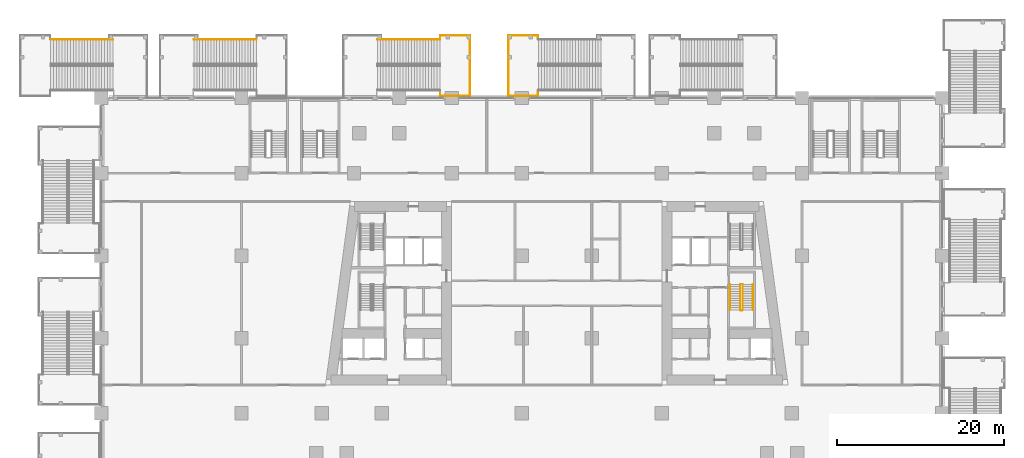
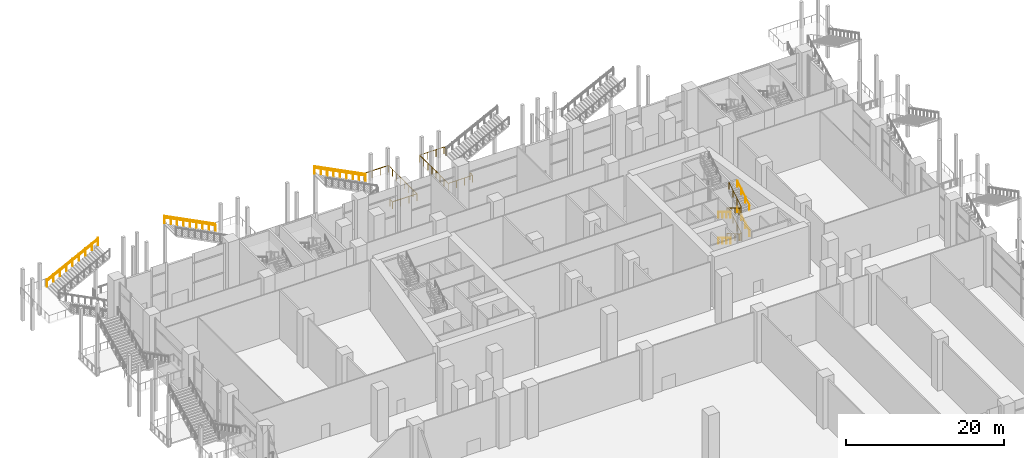
# One storey, part 46 of 52: 14 railings.
"""IFC4 building model written with IfcOpenShell, lengths in metres."""

from ifc_helpers import new_model, si_unit, direction, frame, origin, origin_2d, place, context, subcontext, project, spatial, circle, extrude, material, type_object, element, save


model = new_model("IFC4")

# Units and contexts
model_context = context("Model", 3, precision=1e-05, world=origin(), true_north=direction((0.0, 1.0)))
body_context = subcontext(model_context, "Body", "Model", "MODEL_VIEW")
ifc_project = project(units=[si_unit("LENGTHUNIT", "METRE"), si_unit("AREAUNIT", "SQUARE_METRE"), si_unit("VOLUMEUNIT", "CUBIC_METRE"), si_unit("PLANEANGLEUNIT", "RADIAN"), si_unit("MASSUNIT", "GRAM", prefix="KILO")], contexts=[model_context])

# Site, building, storey
site_placement = place(None, origin())
site = spatial("IfcSite", under=ifc_project, at=site_placement, CompositionType="ELEMENT")
building_placement = place(site_placement, origin())
building = spatial("IfcBuilding", under=site, at=building_placement, Name="Candeia Pilgrim Tower and Theatre", CompositionType="ELEMENT")
storey_placement = place(building_placement, frame((0.0, 0.0, 9.0)))
storey = spatial("IfcBuildingStorey", under=building, at=storey_placement, Name="L01", CompositionType="ELEMENT", Elevation=9.0)

# Railings
ifc_material_1 = material(Name="Stainless steel balustrade", Category="steel")
railing_type_1 = type_object("IfcRailingType", Name="RL-GUARD-1100", PredefinedType="GUARDRAIL", material=ifc_material_1)
railing_1_placement = place(storey_placement, frame((135.39794921875, 122.47509765625, 0.166748046875)))
element("IfcRailing", 1, at=railing_1_placement, inside=storey, type_object=railing_type_1, Name="L01 ST3 stair guard 1", PredefinedType="GUARDRAIL", context=body_context, shape_type="SweptSolid", body=[
    extrude(circle(Radius=0.02392578125, at=origin_2d()), frame((0.0, 0.0, 1.076171875), z_axis=(0.0, -0.859308565015, 0.511457515432), x_axis=(1.0, 0.0, 0.0)), (0.0, 0.0, 1.0), 3.58447265625),
    extrude(circle(Radius=0.02392578125, at=origin_2d()), frame((0.0, -3.080078125, 2.9091796875), z_axis=(0.707106781187, -0.707106781187, 0.0), x_axis=(0.707106781187, 0.707106781187, 0.0)), (0.0, 0.0, 1.0), 0.07080078125),
    extrude(circle(Radius=0.02392578125, at=origin_2d()), frame((0.050048828125, -3.130126953125, 2.9091796875), z_axis=(1.0, 0.0, 0.0), x_axis=(0.0, 1.0, 0.0)), (0.0, 0.0, 1.0), 0.199951171875),
    extrude(circle(Radius=0.02392578125, at=origin_2d()), frame((0.25, -3.130126953125, 2.9091796875), z_axis=(0.27628659633, 0.27628659633, 0.920506074601), x_axis=(-0.707106781187, 0.707106781187, 0.0)), (0.0, 0.0, 1.0), 0.18115234375),
    extrude(circle(Radius=0.02392578125, at=origin_2d()), frame((0.300048828125, -3.080078125, 3.076171875), z_axis=(0.0, 0.859308565015, 0.511457515432), x_axis=(-1.0, 0.0, 0.0)), (0.0, 0.0, 1.0), 3.58447265625),
    extrude(circle(Radius=0.02099609375, at=origin_2d()), origin(), (0.0, 0.0, 1.0), 1.052001953125),
    extrude(circle(Radius=0.02099609375, at=origin_2d()), frame((0.0, -1.026611328125, 0.611083984375)), (0.0, 0.0, 1.0), 1.052001953125),
    extrude(circle(Radius=0.02099609375, at=origin_2d()), frame((0.0, -2.053466796875, 1.22216796875)), (0.0, 0.0, 1.0), 1.052001953125),
    extrude(circle(Radius=0.02099609375, at=origin_2d()), frame((0.0, -3.080078125, 1.833251953125)), (0.0, 0.0, 1.0), 1.052001953125),
    extrude(circle(Radius=0.02099609375, at=origin_2d()), frame((0.050048828125, -3.130126953125, 1.833251953125)), (0.0, 0.0, 1.0), 1.052001953125),
    extrude(circle(Radius=0.02099609375, at=origin_2d()), frame((0.25, -3.130126953125, 1.833251953125)), (0.0, 0.0, 1.0), 1.052001953125),
    extrude(circle(Radius=0.02099609375, at=origin_2d()), frame((0.300048828125, -3.080078125, 2.0)), (0.0, 0.0, 1.0), 1.052001953125),
    extrude(circle(Radius=0.02099609375, at=origin_2d()), frame((0.300048828125, -2.053466796875, 2.611083984375)), (0.0, 0.0, 1.0), 1.052001953125),
    extrude(circle(Radius=0.02099609375, at=origin_2d()), frame((0.300048828125, -1.026611328125, 3.22216796875)), (0.0, 0.0, 1.0), 1.052001953125),
    extrude(circle(Radius=0.02099609375, at=origin_2d()), frame((0.300048828125, 0.0, 3.833251953125)), (0.0, 0.0, 1.0), 1.052001953125),
])
railing_2_placement = place(storey_placement, frame((135.39794921875, 122.47509765625, 4.166748046875)))
element("IfcRailing", 2, at=railing_2_placement, inside=storey, type_object=railing_type_1, Name="L01 ST3 stair guard 3", PredefinedType="GUARDRAIL", context=body_context, shape_type="SweptSolid", body=[
    extrude(circle(Radius=0.02392578125, at=origin_2d()), frame((0.0, 0.0, 1.076171875), z_axis=(0.0, -0.859308565015, 0.511457515432), x_axis=(1.0, 0.0, 0.0)), (0.0, 0.0, 1.0), 3.58447265625),
    extrude(circle(Radius=0.02392578125, at=origin_2d()), frame((0.0, -3.080078125, 2.9091796875), z_axis=(0.707106781187, -0.707106781187, 0.0), x_axis=(0.707106781187, 0.707106781187, 0.0)), (0.0, 0.0, 1.0), 0.07080078125),
    extrude(circle(Radius=0.02392578125, at=origin_2d()), frame((0.050048828125, -3.130126953125, 2.9091796875), z_axis=(1.0, 0.0, 0.0), x_axis=(0.0, 1.0, 0.0)), (0.0, 0.0, 1.0), 0.199951171875),
    extrude(circle(Radius=0.02392578125, at=origin_2d()), frame((0.25, -3.130126953125, 2.9091796875), z_axis=(0.27628659633, 0.27628659633, 0.920506074601), x_axis=(-0.707106781187, 0.707106781187, 0.0)), (0.0, 0.0, 1.0), 0.18115234375),
    extrude(circle(Radius=0.02392578125, at=origin_2d()), frame((0.300048828125, -3.080078125, 3.076171875), z_axis=(0.0, 0.859308565015, 0.511457515432), x_axis=(-1.0, 0.0, 0.0)), (0.0, 0.0, 1.0), 3.58447265625),
    extrude(circle(Radius=0.02099609375, at=origin_2d()), origin(), (0.0, 0.0, 1.0), 1.052001953125),
    extrude(circle(Radius=0.02099609375, at=origin_2d()), frame((0.0, -1.026611328125, 0.611083984375)), (0.0, 0.0, 1.0), 1.052001953125),
    extrude(circle(Radius=0.02099609375, at=origin_2d()), frame((0.0, -2.053466796875, 1.22216796875)), (0.0, 0.0, 1.0), 1.052001953125),
    extrude(circle(Radius=0.02099609375, at=origin_2d()), frame((0.0, -3.080078125, 1.833251953125)), (0.0, 0.0, 1.0), 1.052001953125),
    extrude(circle(Radius=0.02099609375, at=origin_2d()), frame((0.050048828125, -3.130126953125, 1.833251953125)), (0.0, 0.0, 1.0), 1.052001953125),
    extrude(circle(Radius=0.02099609375, at=origin_2d()), frame((0.25, -3.130126953125, 1.833251953125)), (0.0, 0.0, 1.0), 1.052001953125),
    extrude(circle(Radius=0.02099609375, at=origin_2d()), frame((0.300048828125, -3.080078125, 2.0)), (0.0, 0.0, 1.0), 1.052001953125),
    extrude(circle(Radius=0.02099609375, at=origin_2d()), frame((0.300048828125, -2.053466796875, 2.611083984375)), (0.0, 0.0, 1.0), 1.052001953125),
    extrude(circle(Radius=0.02099609375, at=origin_2d()), frame((0.300048828125, -1.026611328125, 3.22216796875)), (0.0, 0.0, 1.0), 1.052001953125),
    extrude(circle(Radius=0.02099609375, at=origin_2d()), frame((0.300048828125, 0.0, 3.833251953125)), (0.0, 0.0, 1.0), 1.052001953125),
])
railing_3_placement = place(storey_placement, frame((52.719970703125, 151.85009765625, 4.173828125)))
element("IfcRailing", 3, at=railing_3_placement, inside=storey, type_object=railing_type_1, Name="L01 ES3 stair guard 4", PredefinedType="GUARDRAIL", context=body_context, shape_type="SweptSolid", body=[
    extrude(circle(Radius=0.02392578125, at=origin_2d()), frame((0.0, 0.0, 1.076171875), z_axis=(0.890286522184, 0.0, 0.455400821714), x_axis=(0.0, 1.0, 0.0)), (0.0, 0.0, 1.0), 8.40185546875),
    extrude(circle(Radius=0.02099609375, at=origin_2d()), origin(), (0.0, 0.0, 1.0), 1.052001953125),
    extrude(circle(Radius=0.02099609375, at=origin_2d()), frame((0.93505859375, 0.0, 0.478271484375)), (0.0, 0.0, 1.0), 1.052001953125),
    extrude(circle(Radius=0.02099609375, at=origin_2d()), frame((1.8701171875, 0.0, 0.95654296875)), (0.0, 0.0, 1.0), 1.052001953125),
    extrude(circle(Radius=0.02099609375, at=origin_2d()), frame((2.804931640625, 0.0, 1.434814453125)), (0.0, 0.0, 1.0), 1.052001953125),
    extrude(circle(Radius=0.02099609375, at=origin_2d()), frame((3.739990234375, 0.0, 1.9130859375)), (0.0, 0.0, 1.0), 1.052001953125),
    extrude(circle(Radius=0.02099609375, at=origin_2d()), frame((4.675048828125, 0.0, 2.391357421875)), (0.0, 0.0, 1.0), 1.052001953125),
    extrude(circle(Radius=0.02099609375, at=origin_2d()), frame((5.60986328125, 0.0, 2.86962890625)), (0.0, 0.0, 1.0), 1.052001953125),
    extrude(circle(Radius=0.02099609375, at=origin_2d()), frame((6.544921875, 0.0, 3.347900390625)), (0.0, 0.0, 1.0), 1.052001953125),
    extrude(circle(Radius=0.02099609375, at=origin_2d()), frame((7.47998046875, 0.0, 3.826171875)), (0.0, 0.0, 1.0), 1.052001953125),
])
for number, where, name in (
    (4, (77.3798828125, 151.85009765625, 4.173828125), "L01 ES4 stair guard 4"),
    (5, (99.3798828125, 151.85009765625, 4.173828125), "L01 ES5 stair guard 4"),
):
    element("IfcRailing", number, at=place(storey_placement, frame(where)), inside=storey, type_object=railing_type_1, Name=name, PredefinedType="GUARDRAIL", context=body_context, shape_type="SweptSolid", body=[
        extrude(circle(Radius=0.02392578125, at=origin_2d()), frame((0.0, 0.0, 1.076171875), z_axis=(-0.890286522184, 0.0, 0.455400821714), x_axis=(0.0, -1.0, 0.0)), (0.0, 0.0, 1.0), 8.40185546875),
        extrude(circle(Radius=0.02099609375, at=origin_2d()), origin(), (0.0, 0.0, 1.0), 1.052001953125),
        extrude(circle(Radius=0.02099609375, at=origin_2d()), frame((-0.93505859375, 0.0, 0.478271484375)), (0.0, 0.0, 1.0), 1.052001953125),
        extrude(circle(Radius=0.02099609375, at=origin_2d()), frame((-1.8701171875, 0.0, 0.95654296875)), (0.0, 0.0, 1.0), 1.052001953125),
        extrude(circle(Radius=0.02099609375, at=origin_2d()), frame((-2.804931640625, 0.0, 1.434814453125)), (0.0, 0.0, 1.0), 1.052001953125),
        extrude(circle(Radius=0.02099609375, at=origin_2d()), frame((-3.739990234375, 0.0, 1.9130859375)), (0.0, 0.0, 1.0), 1.052001953125),
        extrude(circle(Radius=0.02099609375, at=origin_2d()), frame((-4.675048828125, 0.0, 2.391357421875)), (0.0, 0.0, 1.0), 1.052001953125),
        extrude(circle(Radius=0.02099609375, at=origin_2d()), frame((-5.60986328125, 0.0, 2.86962890625)), (0.0, 0.0, 1.0), 1.052001953125),
        extrude(circle(Radius=0.02099609375, at=origin_2d()), frame((-6.544921875, 0.0, 3.347900390625)), (0.0, 0.0, 1.0), 1.052001953125),
        extrude(circle(Radius=0.02099609375, at=origin_2d()), frame((-7.47998046875, 0.0, 3.826171875)), (0.0, 0.0, 1.0), 1.052001953125),
    ])
railing_4_placement = place(storey_placement, frame((99.429931640625, 145.699951171875, 4.0)))
element("IfcRailing", 6, at=railing_4_placement, inside=storey, type_object=railing_type_1, Name="L01 ES5 stair guard 5", PredefinedType="GUARDRAIL", context=body_context, shape_type="SweptSolid", body=[
    extrude(circle(Radius=0.02392578125, at=origin_2d()), frame((0.0, 0.0, 1.076171875), z_axis=(0.0, -1.0, 0.0), x_axis=(1.0, 0.0, 0.0)), (0.0, 0.0, 1.0), 0.64990234375),
    extrude(circle(Radius=0.02392578125, at=origin_2d()), frame((0.0, -0.64990234375, 1.076171875), z_axis=(1.0, 0.0, 0.0), x_axis=(0.0, 1.0, 0.0)), (0.0, 0.0, 1.0), 3.580078125),
    extrude(circle(Radius=0.02392578125, at=origin_2d()), frame((3.580078125, -0.64990234375, 1.076171875), z_axis=(0.0, 1.0, 0.0), x_axis=(-1.0, 0.0, 0.0)), (0.0, 0.0, 1.0), 7.25),
    extrude(circle(Radius=0.02392578125, at=origin_2d()), frame((3.580078125, 6.60009765625, 1.076171875), z_axis=(-1.0, 0.0, 0.0), x_axis=(0.0, -1.0, 0.0)), (0.0, 0.0, 1.0), 3.580078125),
    extrude(circle(Radius=0.02392578125, at=origin_2d()), frame((0.0, 6.60009765625, 1.076171875), z_axis=(0.0, -1.0, 0.0), x_axis=(1.0, 0.0, 0.0)), (0.0, 0.0, 1.0), 0.449951171875),
    extrude(circle(Radius=0.02099609375, at=origin_2d()), origin(), (0.0, 0.0, 1.0), 1.052001953125),
    extrude(circle(Radius=0.02099609375, at=origin_2d()), frame((0.0, -0.64990234375, 0.0)), (0.0, 0.0, 1.0), 1.052001953125),
    extrude(circle(Radius=0.02099609375, at=origin_2d()), frame((1.193359375, -0.64990234375, 0.0)), (0.0, 0.0, 1.0), 1.052001953125),
    extrude(circle(Radius=0.02099609375, at=origin_2d()), frame((2.38671875, -0.64990234375, 0.0)), (0.0, 0.0, 1.0), 1.052001953125),
    extrude(circle(Radius=0.02099609375, at=origin_2d()), frame((3.580078125, -0.64990234375, 0.0)), (0.0, 0.0, 1.0), 1.052001953125),
    extrude(circle(Radius=0.02099609375, at=origin_2d()), frame((3.580078125, 0.3857421875, 0.0)), (0.0, 0.0, 1.0), 1.052001953125),
    extrude(circle(Radius=0.02099609375, at=origin_2d()), frame((3.580078125, 1.421630859375, 0.0)), (0.0, 0.0, 1.0), 1.052001953125),
    extrude(circle(Radius=0.02099609375, at=origin_2d()), frame((3.580078125, 2.457275390625, 0.0)), (0.0, 0.0, 1.0), 1.052001953125),
    extrude(circle(Radius=0.02099609375, at=origin_2d()), frame((3.580078125, 3.492919921875, 0.0)), (0.0, 0.0, 1.0), 1.052001953125),
    extrude(circle(Radius=0.02099609375, at=origin_2d()), frame((3.580078125, 4.528564453125, 0.0)), (0.0, 0.0, 1.0), 1.052001953125),
    extrude(circle(Radius=0.02099609375, at=origin_2d()), frame((3.580078125, 5.564453125, 0.0)), (0.0, 0.0, 1.0), 1.052001953125),
    extrude(circle(Radius=0.02099609375, at=origin_2d()), frame((3.580078125, 6.60009765625, 0.0)), (0.0, 0.0, 1.0), 1.052001953125),
    extrude(circle(Radius=0.02099609375, at=origin_2d()), frame((2.38671875, 6.60009765625, 0.0)), (0.0, 0.0, 1.0), 1.052001953125),
    extrude(circle(Radius=0.02099609375, at=origin_2d()), frame((1.193359375, 6.60009765625, 0.0)), (0.0, 0.0, 1.0), 1.052001953125),
    extrude(circle(Radius=0.02099609375, at=origin_2d()), frame((0.0, 6.60009765625, 0.0)), (0.0, 0.0, 1.0), 1.052001953125),
    extrude(circle(Radius=0.02099609375, at=origin_2d()), frame((0.0, 6.150146484375, 0.0)), (0.0, 0.0, 1.0), 1.052001953125),
])
railing_5_placement = place(storey_placement, frame((111.169921875, 145.699951171875, 4.0)))
element("IfcRailing", 7, at=railing_5_placement, inside=storey, type_object=railing_type_1, Name="L01 ES6 stair guard 5", PredefinedType="GUARDRAIL", context=body_context, shape_type="SweptSolid", body=[
    extrude(circle(Radius=0.02392578125, at=origin_2d()), frame((0.0, 0.0, 1.076171875), z_axis=(0.0, -1.0, 0.0), x_axis=(1.0, 0.0, 0.0)), (0.0, 0.0, 1.0), 0.64990234375),
    extrude(circle(Radius=0.02392578125, at=origin_2d()), frame((0.0, -0.64990234375, 1.076171875), z_axis=(-1.0, 0.0, 0.0), x_axis=(0.0, -1.0, 0.0)), (0.0, 0.0, 1.0), 3.579833984375),
    extrude(circle(Radius=0.02392578125, at=origin_2d()), frame((-3.579833984375, -0.64990234375, 1.076171875), z_axis=(0.0, 1.0, 0.0), x_axis=(-1.0, 0.0, 0.0)), (0.0, 0.0, 1.0), 7.25),
    extrude(circle(Radius=0.02392578125, at=origin_2d()), frame((-3.579833984375, 6.60009765625, 1.076171875), z_axis=(1.0, 0.0, 0.0), x_axis=(0.0, 1.0, 0.0)), (0.0, 0.0, 1.0), 3.579833984375),
    extrude(circle(Radius=0.02392578125, at=origin_2d()), frame((0.0, 6.60009765625, 1.076171875), z_axis=(0.0, -1.0, 0.0), x_axis=(1.0, 0.0, 0.0)), (0.0, 0.0, 1.0), 0.449951171875),
    extrude(circle(Radius=0.02099609375, at=origin_2d()), origin(), (0.0, 0.0, 1.0), 1.052001953125),
    extrude(circle(Radius=0.02099609375, at=origin_2d()), frame((0.0, -0.64990234375, 0.0)), (0.0, 0.0, 1.0), 1.052001953125),
    extrude(circle(Radius=0.02099609375, at=origin_2d()), frame((-1.193359375, -0.64990234375, 0.0)), (0.0, 0.0, 1.0), 1.052001953125),
    extrude(circle(Radius=0.02099609375, at=origin_2d()), frame((-2.386474609375, -0.64990234375, 0.0)), (0.0, 0.0, 1.0), 1.052001953125),
    extrude(circle(Radius=0.02099609375, at=origin_2d()), frame((-3.579833984375, -0.64990234375, 0.0)), (0.0, 0.0, 1.0), 1.052001953125),
    extrude(circle(Radius=0.02099609375, at=origin_2d()), frame((-3.579833984375, 0.3857421875, 0.0)), (0.0, 0.0, 1.0), 1.052001953125),
    extrude(circle(Radius=0.02099609375, at=origin_2d()), frame((-3.579833984375, 1.421630859375, 0.0)), (0.0, 0.0, 1.0), 1.052001953125),
    extrude(circle(Radius=0.02099609375, at=origin_2d()), frame((-3.579833984375, 2.457275390625, 0.0)), (0.0, 0.0, 1.0), 1.052001953125),
    extrude(circle(Radius=0.02099609375, at=origin_2d()), frame((-3.579833984375, 3.492919921875, 0.0)), (0.0, 0.0, 1.0), 1.052001953125),
    extrude(circle(Radius=0.02099609375, at=origin_2d()), frame((-3.579833984375, 4.528564453125, 0.0)), (0.0, 0.0, 1.0), 1.052001953125),
    extrude(circle(Radius=0.02099609375, at=origin_2d()), frame((-3.579833984375, 5.564453125, 0.0)), (0.0, 0.0, 1.0), 1.052001953125),
    extrude(circle(Radius=0.02099609375, at=origin_2d()), frame((-3.579833984375, 6.60009765625, 0.0)), (0.0, 0.0, 1.0), 1.052001953125),
    extrude(circle(Radius=0.02099609375, at=origin_2d()), frame((-2.386474609375, 6.60009765625, 0.0)), (0.0, 0.0, 1.0), 1.052001953125),
    extrude(circle(Radius=0.02099609375, at=origin_2d()), frame((-1.193359375, 6.60009765625, 0.0)), (0.0, 0.0, 1.0), 1.052001953125),
    extrude(circle(Radius=0.02099609375, at=origin_2d()), frame((0.0, 6.60009765625, 0.0)), (0.0, 0.0, 1.0), 1.052001953125),
    extrude(circle(Radius=0.02099609375, at=origin_2d()), frame((0.0, 6.150146484375, 0.0)), (0.0, 0.0, 1.0), 1.052001953125),
])
ifc_material_2 = material(Name="Stainless steel handrail", Category="steel")
railing_type_2 = type_object("IfcRailingType", Name="RL-HANDRAIL-900", PredefinedType="HANDRAIL", material=ifc_material_2)
railing_6_placement = place(storey_placement, frame((134.14794921875, 122.47509765625, 0.166748046875)))
element("IfcRailing", 8, at=railing_6_placement, inside=storey, type_object=railing_type_2, Name="L01 ST3 stair handrail 1", PredefinedType="HANDRAIL", context=body_context, shape_type="SweptSolid", body=[
    extrude(circle(Radius=0.02392578125, at=origin_2d()), frame((0.0, 0.0, 0.8759765625), z_axis=(0.0, -0.859308565015, 0.511457515432), x_axis=(1.0, 0.0, 0.0)), (0.0, 0.0, 1.0), 3.58447265625),
    extrude(circle(Radius=0.02099609375, at=origin_2d()), origin(), (0.0, 0.0, 1.0), 0.851806640625),
    extrude(circle(Radius=0.02099609375, at=origin_2d()), frame((0.0, -1.026611328125, 0.611083984375)), (0.0, 0.0, 1.0), 0.851806640625),
    extrude(circle(Radius=0.02099609375, at=origin_2d()), frame((0.0, -2.053466796875, 1.22216796875)), (0.0, 0.0, 1.0), 0.851806640625),
    extrude(circle(Radius=0.02099609375, at=origin_2d()), frame((0.0, -3.080078125, 1.833251953125)), (0.0, 0.0, 1.0), 0.851806640625),
])
railing_7_placement = place(storey_placement, frame((136.947998046875, 119.39501953125, 2.166748046875)))
element("IfcRailing", 9, at=railing_7_placement, inside=storey, type_object=railing_type_2, Name="L01 ST3 stair handrail 2", PredefinedType="HANDRAIL", context=body_context, shape_type="SweptSolid", body=[
    extrude(circle(Radius=0.02392578125, at=origin_2d()), frame((0.0, 0.0, 0.8759765625), z_axis=(0.0, 0.859308565015, 0.511457515432), x_axis=(-1.0, 0.0, 0.0)), (0.0, 0.0, 1.0), 3.58447265625),
    extrude(circle(Radius=0.02099609375, at=origin_2d()), origin(), (0.0, 0.0, 1.0), 0.851806640625),
    extrude(circle(Radius=0.02099609375, at=origin_2d()), frame((0.0, 1.026611328125, 0.611083984375)), (0.0, 0.0, 1.0), 0.851806640625),
    extrude(circle(Radius=0.02099609375, at=origin_2d()), frame((0.0, 2.053466796875, 1.22216796875)), (0.0, 0.0, 1.0), 0.851806640625),
    extrude(circle(Radius=0.02099609375, at=origin_2d()), frame((0.0, 3.080078125, 1.833251953125)), (0.0, 0.0, 1.0), 0.851806640625),
])
railing_8_placement = place(storey_placement, frame((134.14794921875, 122.47509765625, 4.166748046875)))
element("IfcRailing", 10, at=railing_8_placement, inside=storey, type_object=railing_type_2, Name="L01 ST3 stair handrail 3", PredefinedType="HANDRAIL", context=body_context, shape_type="SweptSolid", body=[
    extrude(circle(Radius=0.02392578125, at=origin_2d()), frame((0.0, 0.0, 0.8759765625), z_axis=(0.0, -0.859308565015, 0.511457515432), x_axis=(1.0, 0.0, 0.0)), (0.0, 0.0, 1.0), 3.58447265625),
    extrude(circle(Radius=0.02099609375, at=origin_2d()), origin(), (0.0, 0.0, 1.0), 0.851806640625),
    extrude(circle(Radius=0.02099609375, at=origin_2d()), frame((0.0, -1.026611328125, 0.611083984375)), (0.0, 0.0, 1.0), 0.851806640625),
    extrude(circle(Radius=0.02099609375, at=origin_2d()), frame((0.0, -2.053466796875, 1.22216796875)), (0.0, 0.0, 1.0), 0.851806640625),
    extrude(circle(Radius=0.02099609375, at=origin_2d()), frame((0.0, -3.080078125, 1.833251953125)), (0.0, 0.0, 1.0), 0.851806640625),
])
railing_9_placement = place(storey_placement, frame((136.947998046875, 119.39501953125, 6.166748046875)))
element("IfcRailing", 11, at=railing_9_placement, inside=storey, type_object=railing_type_2, Name="L01 ST3 stair handrail 4", PredefinedType="HANDRAIL", context=body_context, shape_type="SweptSolid", body=[
    extrude(circle(Radius=0.02392578125, at=origin_2d()), frame((0.0, 0.0, 0.8759765625), z_axis=(0.0, 0.859308565015, 0.511457515432), x_axis=(-1.0, 0.0, 0.0)), (0.0, 0.0, 1.0), 3.58447265625),
    extrude(circle(Radius=0.02099609375, at=origin_2d()), origin(), (0.0, 0.0, 1.0), 0.851806640625),
    extrude(circle(Radius=0.02099609375, at=origin_2d()), frame((0.0, 1.026611328125, 0.611083984375)), (0.0, 0.0, 1.0), 0.851806640625),
    extrude(circle(Radius=0.02099609375, at=origin_2d()), frame((0.0, 2.053466796875, 1.22216796875)), (0.0, 0.0, 1.0), 0.851806640625),
    extrude(circle(Radius=0.02099609375, at=origin_2d()), frame((0.0, 3.080078125, 1.833251953125)), (0.0, 0.0, 1.0), 0.851806640625),
])
railing_10_placement = place(storey_placement, frame((52.719970703125, 151.800048828125, 4.173828125)))
element("IfcRailing", 12, at=railing_10_placement, inside=storey, type_object=railing_type_2, Name="L01 ES3 stair handrail 2", PredefinedType="HANDRAIL", context=body_context, shape_type="SweptSolid", body=[
    extrude(circle(Radius=0.02392578125, at=origin_2d()), frame((0.0, 0.0, 0.8759765625), z_axis=(0.890286522184, 0.0, 0.455400821714), x_axis=(0.0, 1.0, 0.0)), (0.0, 0.0, 1.0), 8.40185546875),
    extrude(circle(Radius=0.02099609375, at=origin_2d()), origin(), (0.0, 0.0, 1.0), 0.851806640625),
    extrude(circle(Radius=0.02099609375, at=origin_2d()), frame((0.93505859375, 0.0, 0.478271484375)), (0.0, 0.0, 1.0), 0.851806640625),
    extrude(circle(Radius=0.02099609375, at=origin_2d()), frame((1.8701171875, 0.0, 0.95654296875)), (0.0, 0.0, 1.0), 0.851806640625),
    extrude(circle(Radius=0.02099609375, at=origin_2d()), frame((2.804931640625, 0.0, 1.434814453125)), (0.0, 0.0, 1.0), 0.851806640625),
    extrude(circle(Radius=0.02099609375, at=origin_2d()), frame((3.739990234375, 0.0, 1.9130859375)), (0.0, 0.0, 1.0), 0.851806640625),
    extrude(circle(Radius=0.02099609375, at=origin_2d()), frame((4.675048828125, 0.0, 2.391357421875)), (0.0, 0.0, 1.0), 0.851806640625),
    extrude(circle(Radius=0.02099609375, at=origin_2d()), frame((5.60986328125, 0.0, 2.86962890625)), (0.0, 0.0, 1.0), 0.851806640625),
    extrude(circle(Radius=0.02099609375, at=origin_2d()), frame((6.544921875, 0.0, 3.347900390625)), (0.0, 0.0, 1.0), 0.851806640625),
    extrude(circle(Radius=0.02099609375, at=origin_2d()), frame((7.47998046875, 0.0, 3.826171875)), (0.0, 0.0, 1.0), 0.851806640625),
])
for number, where, name in (
    (13, (77.3798828125, 151.800048828125, 4.173828125), "L01 ES4 stair handrail 2"),
    (14, (99.3798828125, 151.800048828125, 4.173828125), "L01 ES5 stair handrail 2"),
):
    element("IfcRailing", number, at=place(storey_placement, frame(where)), inside=storey, type_object=railing_type_2, Name=name, PredefinedType="HANDRAIL", context=body_context, shape_type="SweptSolid", body=[
        extrude(circle(Radius=0.02392578125, at=origin_2d()), frame((0.0, 0.0, 0.8759765625), z_axis=(-0.890286522184, 0.0, 0.455400821714), x_axis=(0.0, -1.0, 0.0)), (0.0, 0.0, 1.0), 8.40185546875),
        extrude(circle(Radius=0.02099609375, at=origin_2d()), origin(), (0.0, 0.0, 1.0), 0.851806640625),
        extrude(circle(Radius=0.02099609375, at=origin_2d()), frame((-0.93505859375, 0.0, 0.478271484375)), (0.0, 0.0, 1.0), 0.851806640625),
        extrude(circle(Radius=0.02099609375, at=origin_2d()), frame((-1.8701171875, 0.0, 0.95654296875)), (0.0, 0.0, 1.0), 0.851806640625),
        extrude(circle(Radius=0.02099609375, at=origin_2d()), frame((-2.804931640625, 0.0, 1.434814453125)), (0.0, 0.0, 1.0), 0.851806640625),
        extrude(circle(Radius=0.02099609375, at=origin_2d()), frame((-3.739990234375, 0.0, 1.9130859375)), (0.0, 0.0, 1.0), 0.851806640625),
        extrude(circle(Radius=0.02099609375, at=origin_2d()), frame((-4.675048828125, 0.0, 2.391357421875)), (0.0, 0.0, 1.0), 0.851806640625),
        extrude(circle(Radius=0.02099609375, at=origin_2d()), frame((-5.60986328125, 0.0, 2.86962890625)), (0.0, 0.0, 1.0), 0.851806640625),
        extrude(circle(Radius=0.02099609375, at=origin_2d()), frame((-6.544921875, 0.0, 3.347900390625)), (0.0, 0.0, 1.0), 0.851806640625),
        extrude(circle(Radius=0.02099609375, at=origin_2d()), frame((-7.47998046875, 0.0, 3.826171875)), (0.0, 0.0, 1.0), 0.851806640625),
    ])

save(model, "model.ifc")
